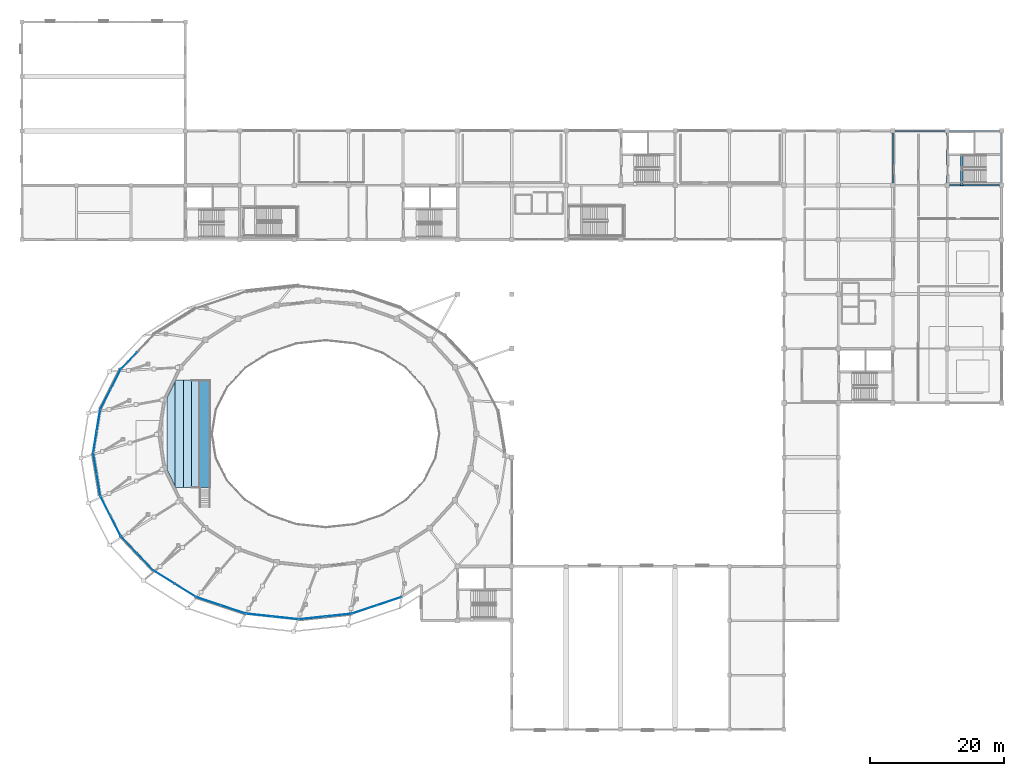
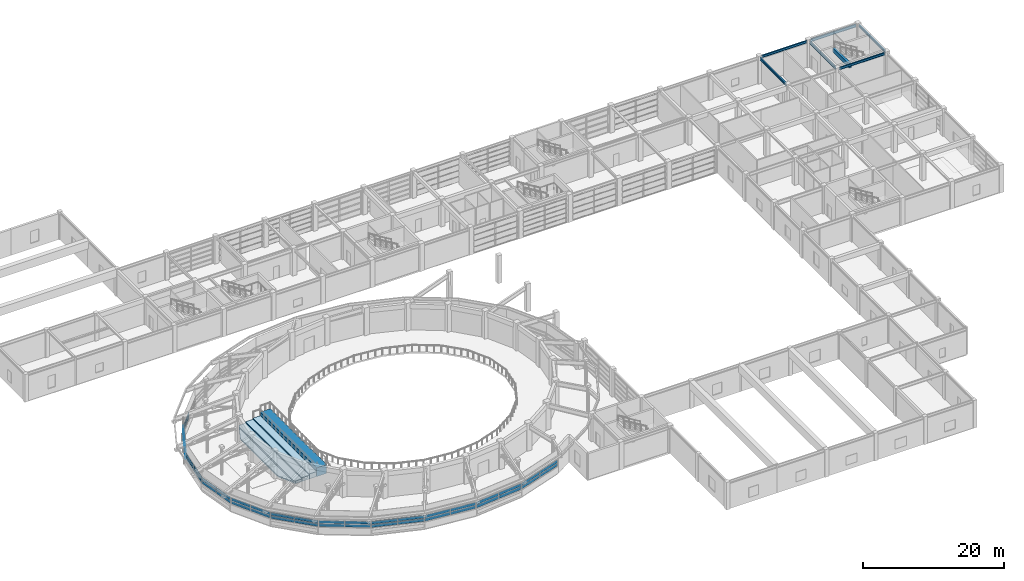
# One storey, part 36 of 58: 42 plates, 7 beams, 5 slabs, 11 elements without a shape of their own.
"""IFC4 building model written with IfcOpenShell, lengths in metres."""

from ifc_helpers import new_model, si_unit, direction, frame, origin, origin_2d, place, context, subcontext, project, spatial, polyline, rectangle, i_section, outline, extrude, material, layer, layer_set, material_profile, profile_set, type_object, element, aggregate, save


model = new_model("IFC4")

# Units and contexts
model_context = context("Model", 3, precision=1e-05, world=origin(), true_north=direction((0.0, 1.0)))
body_context = subcontext(model_context, "Body", "Model", "MODEL_VIEW")
ifc_project = project(units=[si_unit("LENGTHUNIT", "METRE"), si_unit("AREAUNIT", "SQUARE_METRE"), si_unit("VOLUMEUNIT", "CUBIC_METRE"), si_unit("PLANEANGLEUNIT", "RADIAN"), si_unit("MASSUNIT", "GRAM", prefix="KILO")], contexts=[model_context])

# Site, building, storey
site_placement = place(None, origin())
site = spatial("IfcSite", under=ifc_project, at=site_placement, CompositionType="ELEMENT")
building_placement = place(site_placement, origin())
building = spatial("IfcBuilding", under=site, at=building_placement, Name="Parian Resonance Hall", CompositionType="ELEMENT")
storey_placement = place(building_placement, frame((0.0, 0.0, 10.199951171875)))
storey = spatial("IfcBuildingStorey", under=building, at=storey_placement, Name="L02", CompositionType="ELEMENT", Elevation=10.199951171875)

# Beams
ifc_material_1 = material(Name="Concrete C40/50", Category="concrete")
ifc_material_profile_1 = material_profile(ifc_material_1, rectangle(XDim=0.39990234375, YDim=0.699951171875, at=origin_2d()), Name="RC-BM-400x700")
ifc_profile_set_1 = profile_set([ifc_material_profile_1], Name="Concrete C40/50")
beam_type_1 = type_object("IfcBeamType", Name="BM-RC400x700", PredefinedType="BEAM", material=ifc_profile_set_1)
beam_1_placement = place(storey_placement, frame((139.840087890625, 81.0, 4.199951171875), z_axis=(0.0, 1.0, 0.0), x_axis=(-1.0, 0.0, 0.0)))
element("IfcBeam", 1, at=beam_1_placement, inside=storey, type_object=beam_type_1, Name="Core K6 stair arrival trimmer beam L02", PredefinedType="BEAM", context=body_context, shape_type="SweptSolid", body=[
    extrude(rectangle(XDim=0.39990234375, YDim=0.699951171875, at=origin_2d()), origin(), (0.0, 0.0, 1.0), 4.610107421875),
])
ifc_material_2 = material(Name="Steel S355", Category="steel")
ifc_material_profile_2 = material_profile(ifc_material_2, i_section(OverallWidth=0.2548828125, OverallDepth=0.35693359375, WebThickness=0.010498046875, FlangeThickness=0.018310546875, FilletRadius=0.01513671875, at=origin_2d()), Name="W360x101")
ifc_profile_set_2 = profile_set([ifc_material_profile_2], Name="Steel S355")
beam_type_2 = type_object("IfcBeamType", Name="BM-W360x101", PredefinedType="SPANDREL", material=ifc_profile_set_2)
beam_2_placement = place(storey_placement, frame((145.800048828125, 81.35009765625, 4.37158203125), z_axis=(0.0, 1.0, 0.0), x_axis=(-1.0, 0.0, 0.0)))
element("IfcBeam", 2, at=beam_2_placement, inside=storey, type_object=beam_type_2, Name="GY-L02-0811", PredefinedType="SPANDREL", context=body_context, shape_type="SweptSolid", body=[
    extrude(i_section(OverallWidth=0.2548828125, OverallDepth=0.35693359375, WebThickness=0.010498046875, FlangeThickness=0.018310546875, FilletRadius=0.01513671875, at=origin_2d()), origin(), (0.0, 0.0, 1.0), 7.39990234375),
])
ifc_material_3 = material(Name="Steel S355", Category="steel")
ifc_material_profile_3 = material_profile(ifc_material_3, i_section(OverallWidth=0.180908203125, OverallDepth=0.4169921875, WebThickness=0.010986328125, FlangeThickness=0.018310546875, FilletRadius=0.01513671875, at=origin_2d()), Name="W410x85")
ifc_profile_set_3 = profile_set([ifc_material_profile_3], Name="Steel S355")
beam_type_3 = type_object("IfcBeamType", Name="BM-W410x85", PredefinedType="SPANDREL", material=ifc_profile_set_3)
beam_3_placement = place(storey_placement, frame((129.949951171875, 89.10009765625, 4.341552734375), z_axis=(1.0, 0.0, 0.0), x_axis=(0.0, 1.0, 0.0)))
element("IfcBeam", 3, at=beam_3_placement, inside=storey, type_object=beam_type_3, Name="GX-L02-0733", PredefinedType="SPANDREL", context=body_context, shape_type="SweptSolid", body=[
    extrude(i_section(OverallWidth=0.180908203125, OverallDepth=0.4169921875, WebThickness=0.010986328125, FlangeThickness=0.018310546875, FilletRadius=0.01513671875, at=origin_2d()), origin(), (0.0, 0.0, 1.0), 7.400146484375),
])
for number, where, z_axis, x_axis, name in (
    (4, (138.050048828125, 81.0, 4.341552734375), (1.0, 0.0, 0.0), (0.0, 1.0, 0.0), "GX-L02-0738"),
    (5, (137.699951171875, 81.35009765625, 4.341552734375), (0.0, 1.0, 0.0), (-1.0, 0.0, 0.0), "GY-L02-0806"),
):
    element("IfcBeam", number, at=place(storey_placement, frame(where, z_axis=z_axis, x_axis=x_axis)), inside=storey, type_object=beam_type_3, Name=name, PredefinedType="SPANDREL", context=body_context, shape_type="SweptSolid", body=[
        extrude(i_section(OverallWidth=0.180908203125, OverallDepth=0.4169921875, WebThickness=0.010986328125, FlangeThickness=0.018310546875, FilletRadius=0.01513671875, at=origin_2d()), origin(), (0.0, 0.0, 1.0), 7.39990234375),
    ])
ifc_material_4 = material(Name="Steel S355", Category="steel")
ifc_material_profile_4 = material_profile(ifc_material_4, i_section(OverallWidth=0.194091796875, OverallDepth=0.468994140625, WebThickness=0.0126953125, FlangeThickness=0.0205078125, FilletRadius=0.01513671875, at=origin_2d()), Name="W460x106")
ifc_profile_set_4 = profile_set([ifc_material_profile_4], Name="Steel S355")
beam_type_4 = type_object("IfcBeamType", Name="BM-W460x106", PredefinedType="SPANDREL", material=ifc_profile_set_4)
for number, where, z_axis, x_axis, name in (
    (6, (138.050048828125, 89.10009765625, 4.3154296875), (1.0, 0.0, 0.0), (0.0, 1.0, 0.0), "GX-L02-0739"),
    (7, (129.60009765625, 81.35009765625, 4.3154296875), (0.0, 1.0, 0.0), (-1.0, 0.0, 0.0), "GY-L02-0801"),
):
    element("IfcBeam", number, at=place(storey_placement, frame(where, z_axis=z_axis, x_axis=x_axis)), inside=storey, type_object=beam_type_4, Name=name, PredefinedType="SPANDREL", context=body_context, shape_type="SweptSolid", body=[
        extrude(i_section(OverallWidth=0.194091796875, OverallDepth=0.468994140625, WebThickness=0.0126953125, FlangeThickness=0.0205078125, FilletRadius=0.01513671875, at=origin_2d()), origin(), (0.0, 0.0, 1.0), 7.39990234375),
    ])

# Curtain wall, plates
ifc_material_5 = material(Name="Bronze-anodised aluminium frame", Category="aluminium")
curtain_wall_type_1 = type_object("IfcCurtainWallType", Name="CW-SYS-05", PredefinedType="NOTDEFINED", material=ifc_material_5)
curtain_wall_1_placement = place(storey_placement, origin())
curtain_wall_1 = element("IfcCurtainWall", 8, at=curtain_wall_1_placement, inside=storey, type_object=curtain_wall_type_1, Name="Elliptical R2 recessed strip curtain wall 10", PredefinedType="NOTDEFINED")
ifc_material_6 = material(Name="Acoustic laminated double glazing", Category="glass")
ifc_layer_1 = layer(ifc_material_6, 0.02197265625)
ifc_layer_set_1 = layer_set([ifc_layer_1], Name="Acoustic laminated double glazing")
plate_type_1 = type_object("IfcPlateType", Name="CWP-IGU22", PredefinedType="CURTAIN_PANEL", material=ifc_layer_set_1)
plate_1_placement = place(storey_placement, frame((15.92822265625, 54.897705078125, 1.217041015625), z_axis=(0.0, 0.0, 1.0), x_axis=(0.687523049737, 0.72616255486, 0.0)))
plate_1 = element("IfcPlate", 9, at=plate_1_placement, type_object=plate_type_1, Name="CW-05 panel 1.1", PredefinedType="CURTAIN_PANEL", context=body_context, shape_type="SweptSolid", body=[
    extrude(rectangle(XDim=3.424072265625, YDim=0.02197265625, at=origin_2d()), origin(), (0.0, 0.0, 1.0), 0.49560546875),
])
plate_2_placement = place(storey_placement, frame((15.92822265625, 54.897705078125, 1.78759765625), z_axis=(0.0, 0.0, 1.0), x_axis=(0.687523049737, 0.72616255486, 0.0)))
plate_2 = element("IfcPlate", 10, at=plate_2_placement, type_object=plate_type_1, Name="CW-05 panel 1.2", PredefinedType="CURTAIN_PANEL", context=body_context, shape_type="SweptSolid", body=[
    extrude(rectangle(XDim=3.424072265625, YDim=0.02197265625, at=origin_2d()), origin(), (0.0, 0.0, 1.0), 0.49755859375),
])
aggregate(curtain_wall_1, [plate_1, plate_2])

ifc_material_7 = material(Name="Bronze-anodised aluminium frame", Category="aluminium")
curtain_wall_type_2 = type_object("IfcCurtainWallType", Name="CW-SYS-02", PredefinedType="NOTDEFINED", material=ifc_material_7)
curtain_wall_2_placement = place(storey_placement, origin())
curtain_wall_2 = element("IfcCurtainWall", 11, at=curtain_wall_2_placement, inside=storey, type_object=curtain_wall_type_2, Name="Elliptical R2 recessed strip curtain wall 13", PredefinedType="NOTDEFINED")
plate_3_placement = place(storey_placement, frame((11.37939453125, 36.402099609375, 1.20703125), z_axis=(0.0, 0.0, 1.0), x_axis=(-0.160345316726, 0.98706098059, 0.0)))
plate_3 = element("IfcPlate", 12, at=plate_3_placement, type_object=plate_type_1, Name="CW-02 panel 1.1", PredefinedType="CURTAIN_PANEL", context=body_context, shape_type="SweptSolid", body=[
    extrude(rectangle(XDim=3.15380859375, YDim=0.02197265625, at=origin_2d()), origin(), (0.0, 0.0, 1.0), 0.510498046875),
])
plate_4_placement = place(storey_placement, frame((11.37939453125, 36.402099609375, 1.78271484375), z_axis=(0.0, 0.0, 1.0), x_axis=(-0.160345316726, 0.98706098059, 0.0)))
plate_4 = element("IfcPlate", 13, at=plate_4_placement, type_object=plate_type_1, Name="CW-02 panel 1.2", PredefinedType="CURTAIN_PANEL", context=body_context, shape_type="SweptSolid", body=[
    extrude(rectangle(XDim=3.15380859375, YDim=0.02197265625, at=origin_2d()), origin(), (0.0, 0.0, 1.0), 0.512451171875),
])
plate_5_placement = place(storey_placement, frame((10.86328125, 39.579345703125, 1.20703125), z_axis=(0.0, 0.0, 1.0), x_axis=(-0.160345316726, 0.98706098059, 0.0)))
plate_5 = element("IfcPlate", 14, at=plate_5_placement, type_object=plate_type_1, Name="CW-02 panel 2.1", PredefinedType="CURTAIN_PANEL", context=body_context, shape_type="SweptSolid", body=[
    extrude(rectangle(XDim=3.15380859375, YDim=0.02197265625, at=origin_2d()), origin(), (0.0, 0.0, 1.0), 0.510498046875),
])
plate_6_placement = place(storey_placement, frame((10.86328125, 39.579345703125, 1.78271484375), z_axis=(0.0, 0.0, 1.0), x_axis=(-0.160345316726, 0.98706098059, 0.0)))
plate_6 = element("IfcPlate", 15, at=plate_6_placement, type_object=plate_type_1, Name="CW-02 panel 2.2", PredefinedType="CURTAIN_PANEL", context=body_context, shape_type="SweptSolid", body=[
    extrude(rectangle(XDim=3.15380859375, YDim=0.02197265625, at=origin_2d()), origin(), (0.0, 0.0, 1.0), 0.512451171875),
])
aggregate(curtain_wall_2, [plate_3, plate_4, plate_5, plate_6])

curtain_wall_3_placement = place(storey_placement, origin())
curtain_wall_3 = element("IfcCurtainWall", 16, at=curtain_wall_3_placement, inside=storey, type_object=curtain_wall_type_1, Name="Elliptical R2 recessed strip curtain wall 16", PredefinedType="NOTDEFINED")
plate_7_placement = place(storey_placement, frame((24.2998046875, 20.7177734375, 1.217041015625), z_axis=(0.0, 0.0, 1.0), x_axis=(-0.849184800539, 0.528095800526, 0.0)))
plate_7 = element("IfcPlate", 17, at=plate_7_placement, type_object=plate_type_1, Name="CW-05 panel 1.1", PredefinedType="CURTAIN_PANEL", context=body_context, shape_type="SweptSolid", body=[
    extrude(rectangle(XDim=3.619140625, YDim=0.02197265625, at=origin_2d()), origin(), (0.0, 0.0, 1.0), 0.49560546875),
])
plate_8_placement = place(storey_placement, frame((24.2998046875, 20.7177734375, 1.78759765625), z_axis=(0.0, 0.0, 1.0), x_axis=(-0.849184800539, 0.528095800526, 0.0)))
plate_8 = element("IfcPlate", 18, at=plate_8_placement, type_object=plate_type_1, Name="CW-05 panel 1.2", PredefinedType="CURTAIN_PANEL", context=body_context, shape_type="SweptSolid", body=[
    extrude(rectangle(XDim=3.619140625, YDim=0.02197265625, at=origin_2d()), origin(), (0.0, 0.0, 1.0), 0.49755859375),
])
plate_9_placement = place(storey_placement, frame((21.162841796875, 22.668701171875, 1.217041015625), z_axis=(0.0, 0.0, 1.0), x_axis=(-0.849184800539, 0.528095800526, 0.0)))
plate_9 = element("IfcPlate", 19, at=plate_9_placement, type_object=plate_type_1, Name="CW-05 panel 2.1", PredefinedType="CURTAIN_PANEL", context=body_context, shape_type="SweptSolid", body=[
    extrude(rectangle(XDim=3.619140625, YDim=0.02197265625, at=origin_2d()), origin(), (0.0, 0.0, 1.0), 0.49560546875),
])
plate_10_placement = place(storey_placement, frame((21.162841796875, 22.668701171875, 1.78759765625), z_axis=(0.0, 0.0, 1.0), x_axis=(-0.849184800539, 0.528095800526, 0.0)))
plate_10 = element("IfcPlate", 20, at=plate_10_placement, type_object=plate_type_1, Name="CW-05 panel 2.2", PredefinedType="CURTAIN_PANEL", context=body_context, shape_type="SweptSolid", body=[
    extrude(rectangle(XDim=3.619140625, YDim=0.02197265625, at=origin_2d()), origin(), (0.0, 0.0, 1.0), 0.49755859375),
])
aggregate(curtain_wall_3, [plate_7, plate_8, plate_9, plate_10])

curtain_wall_4_placement = place(storey_placement, origin())
curtain_wall_4 = element("IfcCurtainWall", 21, at=curtain_wall_4_placement, inside=storey, type_object=curtain_wall_type_2, Name="Elliptical R2 recessed strip curtain wall 19", PredefinedType="NOTDEFINED")
plate_11_placement = place(storey_placement, frame((47.123779296875, 17.031982421875, 1.20703125), z_axis=(0.0, 0.0, 1.0), x_axis=(-0.994356410662, -0.106091133346, 0.0)))
plate_11 = element("IfcPlate", 22, at=plate_11_placement, type_object=plate_type_1, Name="CW-02 panel 1.1", PredefinedType="CURTAIN_PANEL", context=body_context, shape_type="SweptSolid", body=[
    extrude(rectangle(XDim=3.885009765625, YDim=0.02197265625, at=origin_2d()), origin(), (0.0, 0.0, 1.0), 0.510498046875),
])
plate_12_placement = place(storey_placement, frame((47.123779296875, 17.031982421875, 1.78271484375), z_axis=(0.0, 0.0, 1.0), x_axis=(-0.994356410662, -0.106091133346, 0.0)))
plate_12 = element("IfcPlate", 23, at=plate_12_placement, type_object=plate_type_1, Name="CW-02 panel 1.2", PredefinedType="CURTAIN_PANEL", context=body_context, shape_type="SweptSolid", body=[
    extrude(rectangle(XDim=3.885009765625, YDim=0.02197265625, at=origin_2d()), origin(), (0.0, 0.0, 1.0), 0.512451171875),
])
plate_13_placement = place(storey_placement, frame((43.196044921875, 16.613037109375, 1.20703125), z_axis=(0.0, 0.0, 1.0), x_axis=(-0.994356410662, -0.106091133346, 0.0)))
plate_13 = element("IfcPlate", 24, at=plate_13_placement, type_object=plate_type_1, Name="CW-02 panel 2.1", PredefinedType="CURTAIN_PANEL", context=body_context, shape_type="SweptSolid", body=[
    extrude(rectangle(XDim=3.885009765625, YDim=0.02197265625, at=origin_2d()), origin(), (0.0, 0.0, 1.0), 0.510498046875),
])
plate_14_placement = place(storey_placement, frame((43.196044921875, 16.613037109375, 1.78271484375), z_axis=(0.0, 0.0, 1.0), x_axis=(-0.994356410662, -0.106091133346, 0.0)))
plate_14 = element("IfcPlate", 25, at=plate_14_placement, type_object=plate_type_1, Name="CW-02 panel 2.2", PredefinedType="CURTAIN_PANEL", context=body_context, shape_type="SweptSolid", body=[
    extrude(rectangle(XDim=3.885009765625, YDim=0.02197265625, at=origin_2d()), origin(), (0.0, 0.0, 1.0), 0.512451171875),
])
aggregate(curtain_wall_4, [plate_11, plate_12, plate_13, plate_14])

ifc_material_8 = material(Name="Bronze-anodised aluminium frame", Category="aluminium")
curtain_wall_type_3 = type_object("IfcCurtainWallType", Name="CW-SYS-06", PredefinedType="NOTDEFINED", material=ifc_material_8)
curtain_wall_5_placement = place(storey_placement, origin())
curtain_wall_5 = element("IfcCurtainWall", 26, at=curtain_wall_5_placement, inside=storey, type_object=curtain_wall_type_3, Name="Elliptical R2 recessed strip curtain wall 11", PredefinedType="NOTDEFINED")
ifc_material_9 = material(Name="Acoustic laminated double glazing", Category="glass")
ifc_layer_2 = layer(ifc_material_9, 0.031982421875)
ifc_layer_set_2 = layer_set([ifc_layer_2], Name="Acoustic laminated double glazing")
plate_type_2 = type_object("IfcPlateType", Name="CWP-IGU32", PredefinedType="CURTAIN_PANEL", material=ifc_layer_set_2)
plate_15_placement = place(storey_placement, frame((12.414306640625, 49.12841796875, 1.20703125), z_axis=(0.0, 0.0, 1.0), x_axis=(0.455086403076, 0.890447284085, 0.0)))
plate_15 = element("IfcPlate", 27, at=plate_15_placement, type_object=plate_type_2, Name="CW-06 panel 1.1", PredefinedType="CURTAIN_PANEL", context=body_context, shape_type="SweptSolid", body=[
    extrude(rectangle(XDim=3.260986328125, YDim=0.031982421875, at=origin_2d()), origin(), (0.0, 0.0, 1.0), 0.510498046875),
])
plate_16_placement = place(storey_placement, frame((12.414306640625, 49.12841796875, 1.78271484375), z_axis=(0.0, 0.0, 1.0), x_axis=(0.455086403076, 0.890447284085, 0.0)))
plate_16 = element("IfcPlate", 28, at=plate_16_placement, type_object=plate_type_2, Name="CW-06 panel 1.2", PredefinedType="CURTAIN_PANEL", context=body_context, shape_type="SweptSolid", body=[
    extrude(rectangle(XDim=3.260986328125, YDim=0.031982421875, at=origin_2d()), origin(), (0.0, 0.0, 1.0), 0.512451171875),
])
plate_17_placement = place(storey_placement, frame((13.927978515625, 52.090087890625, 1.20703125), z_axis=(0.0, 0.0, 1.0), x_axis=(0.455086403076, 0.890447284085, 0.0)))
plate_17 = element("IfcPlate", 29, at=plate_17_placement, type_object=plate_type_2, Name="CW-06 panel 2.1", PredefinedType="CURTAIN_PANEL", context=body_context, shape_type="SweptSolid", body=[
    extrude(rectangle(XDim=3.260986328125, YDim=0.031982421875, at=origin_2d()), origin(), (0.0, 0.0, 1.0), 0.510498046875),
])
plate_18_placement = place(storey_placement, frame((13.927978515625, 52.090087890625, 1.78271484375), z_axis=(0.0, 0.0, 1.0), x_axis=(0.455086403076, 0.890447284085, 0.0)))
plate_18 = element("IfcPlate", 30, at=plate_18_placement, type_object=plate_type_2, Name="CW-06 panel 2.2", PredefinedType="CURTAIN_PANEL", context=body_context, shape_type="SweptSolid", body=[
    extrude(rectangle(XDim=3.260986328125, YDim=0.031982421875, at=origin_2d()), origin(), (0.0, 0.0, 1.0), 0.512451171875),
])
aggregate(curtain_wall_5, [plate_15, plate_16, plate_17, plate_18])

ifc_material_10 = material(Name="Bronze-anodised aluminium frame", Category="aluminium")
curtain_wall_type_4 = type_object("IfcCurtainWallType", Name="CW-SYS-03", PredefinedType="NOTDEFINED", material=ifc_material_10)
curtain_wall_6_placement = place(storey_placement, origin())
curtain_wall_6 = element("IfcCurtainWall", 31, at=curtain_wall_6_placement, inside=storey, type_object=curtain_wall_type_4, Name="Elliptical R2 recessed strip curtain wall 14", PredefinedType="NOTDEFINED")
plate_19_placement = place(storey_placement, frame((13.9267578125, 30.31201171875, 1.217041015625), z_axis=(0.0, 0.0, 1.0), x_axis=(-0.455086403076, 0.890447284085, 0.0)))
plate_19 = element("IfcPlate", 32, at=plate_19_placement, type_object=plate_type_2, Name="CW-03 panel 1.1", PredefinedType="CURTAIN_PANEL", context=body_context, shape_type="SweptSolid", body=[
    extrude(rectangle(XDim=3.24609375, YDim=0.031982421875, at=origin_2d()), origin(), (0.0, 0.0, 1.0), 0.49560546875),
])
plate_20_placement = place(storey_placement, frame((13.9267578125, 30.31201171875, 1.78759765625), z_axis=(0.0, 0.0, 1.0), x_axis=(-0.455086403076, 0.890447284085, 0.0)))
plate_20 = element("IfcPlate", 33, at=plate_20_placement, type_object=plate_type_2, Name="CW-03 panel 1.2", PredefinedType="CURTAIN_PANEL", context=body_context, shape_type="SweptSolid", body=[
    extrude(rectangle(XDim=3.24609375, YDim=0.031982421875, at=origin_2d()), origin(), (0.0, 0.0, 1.0), 0.49755859375),
])
plate_21_placement = place(storey_placement, frame((12.41552734375, 33.269287109375, 1.217041015625), z_axis=(0.0, 0.0, 1.0), x_axis=(-0.455086403076, 0.890447284085, 0.0)))
plate_21 = element("IfcPlate", 34, at=plate_21_placement, type_object=plate_type_2, Name="CW-03 panel 2.1", PredefinedType="CURTAIN_PANEL", context=body_context, shape_type="SweptSolid", body=[
    extrude(rectangle(XDim=3.24609375, YDim=0.031982421875, at=origin_2d()), origin(), (0.0, 0.0, 1.0), 0.49560546875),
])
plate_22_placement = place(storey_placement, frame((12.41552734375, 33.269287109375, 1.78759765625), z_axis=(0.0, 0.0, 1.0), x_axis=(-0.455086403076, 0.890447284085, 0.0)))
plate_22 = element("IfcPlate", 35, at=plate_22_placement, type_object=plate_type_2, Name="CW-03 panel 2.2", PredefinedType="CURTAIN_PANEL", context=body_context, shape_type="SweptSolid", body=[
    extrude(rectangle(XDim=3.24609375, YDim=0.031982421875, at=origin_2d()), origin(), (0.0, 0.0, 1.0), 0.49755859375),
])
aggregate(curtain_wall_6, [plate_19, plate_20, plate_21, plate_22])

curtain_wall_7_placement = place(storey_placement, origin())
curtain_wall_7 = element("IfcCurtainWall", 36, at=curtain_wall_7_placement, inside=storey, type_object=curtain_wall_type_3, Name="Elliptical R2 recessed strip curtain wall 17", PredefinedType="NOTDEFINED")
plate_23_placement = place(storey_placement, frame((31.419677734375, 17.86962890625, 1.20703125), z_axis=(0.0, 0.0, 1.0), x_axis=(-0.948004171147, 0.318257900904, 0.0)))
plate_23 = element("IfcPlate", 37, at=plate_23_placement, type_object=plate_type_2, Name="CW-06 panel 1.1", PredefinedType="CURTAIN_PANEL", context=body_context, shape_type="SweptSolid", body=[
    extrude(rectangle(XDim=3.794921875, YDim=0.031982421875, at=origin_2d()), origin(), (0.0, 0.0, 1.0), 0.510498046875),
])
plate_24_placement = place(storey_placement, frame((31.419677734375, 17.86962890625, 1.78271484375), z_axis=(0.0, 0.0, 1.0), x_axis=(-0.948004171147, 0.318257900904, 0.0)))
plate_24 = element("IfcPlate", 38, at=plate_24_placement, type_object=plate_type_2, Name="CW-06 panel 1.2", PredefinedType="CURTAIN_PANEL", context=body_context, shape_type="SweptSolid", body=[
    extrude(rectangle(XDim=3.794921875, YDim=0.031982421875, at=origin_2d()), origin(), (0.0, 0.0, 1.0), 0.512451171875),
])
plate_25_placement = place(storey_placement, frame((27.760498046875, 19.09814453125, 1.20703125), z_axis=(0.0, 0.0, 1.0), x_axis=(-0.948004171147, 0.318257900904, 0.0)))
plate_25 = element("IfcPlate", 39, at=plate_25_placement, type_object=plate_type_2, Name="CW-06 panel 2.1", PredefinedType="CURTAIN_PANEL", context=body_context, shape_type="SweptSolid", body=[
    extrude(rectangle(XDim=3.794921875, YDim=0.031982421875, at=origin_2d()), origin(), (0.0, 0.0, 1.0), 0.510498046875),
])
plate_26_placement = place(storey_placement, frame((27.760498046875, 19.09814453125, 1.78271484375), z_axis=(0.0, 0.0, 1.0), x_axis=(-0.948004171147, 0.318257900904, 0.0)))
plate_26 = element("IfcPlate", 40, at=plate_26_placement, type_object=plate_type_2, Name="CW-06 panel 2.2", PredefinedType="CURTAIN_PANEL", context=body_context, shape_type="SweptSolid", body=[
    extrude(rectangle(XDim=3.794921875, YDim=0.031982421875, at=origin_2d()), origin(), (0.0, 0.0, 1.0), 0.512451171875),
])
aggregate(curtain_wall_7, [plate_23, plate_24, plate_25, plate_26])

curtain_wall_8_placement = place(storey_placement, origin())
curtain_wall_8 = element("IfcCurtainWall", 41, at=curtain_wall_8_placement, inside=storey, type_object=curtain_wall_type_4, Name="Elliptical R2 recessed strip curtain wall 20", PredefinedType="NOTDEFINED")
plate_27_placement = place(storey_placement, frame((54.63720703125, 19.09716796875, 1.217041015625), z_axis=(0.0, 0.0, 1.0), x_axis=(-0.948004171147, -0.318257900904, 0.0)))
plate_27 = element("IfcPlate", 42, at=plate_27_placement, type_object=plate_type_2, Name="CW-03 panel 1.1", PredefinedType="CURTAIN_PANEL", context=body_context, shape_type="SweptSolid", body=[
    extrude(rectangle(XDim=3.780029296875, YDim=0.031982421875, at=origin_2d()), origin(), (0.0, 0.0, 1.0), 0.49560546875),
])
plate_28_placement = place(storey_placement, frame((54.63720703125, 19.09716796875, 1.78759765625), z_axis=(0.0, 0.0, 1.0), x_axis=(-0.948004171147, -0.318257900904, 0.0)))
plate_28 = element("IfcPlate", 43, at=plate_28_placement, type_object=plate_type_2, Name="CW-03 panel 1.2", PredefinedType="CURTAIN_PANEL", context=body_context, shape_type="SweptSolid", body=[
    extrude(rectangle(XDim=3.780029296875, YDim=0.031982421875, at=origin_2d()), origin(), (0.0, 0.0, 1.0), 0.49755859375),
])
plate_29_placement = place(storey_placement, frame((50.982666015625, 17.870361328125, 1.217041015625), z_axis=(0.0, 0.0, 1.0), x_axis=(-0.948004171147, -0.318257900904, 0.0)))
plate_29 = element("IfcPlate", 44, at=plate_29_placement, type_object=plate_type_2, Name="CW-03 panel 2.1", PredefinedType="CURTAIN_PANEL", context=body_context, shape_type="SweptSolid", body=[
    extrude(rectangle(XDim=3.780029296875, YDim=0.031982421875, at=origin_2d()), origin(), (0.0, 0.0, 1.0), 0.49560546875),
])
plate_30_placement = place(storey_placement, frame((50.982666015625, 17.870361328125, 1.78759765625), z_axis=(0.0, 0.0, 1.0), x_axis=(-0.948004171147, -0.318257900904, 0.0)))
plate_30 = element("IfcPlate", 45, at=plate_30_placement, type_object=plate_type_2, Name="CW-03 panel 2.2", PredefinedType="CURTAIN_PANEL", context=body_context, shape_type="SweptSolid", body=[
    extrude(rectangle(XDim=3.780029296875, YDim=0.031982421875, at=origin_2d()), origin(), (0.0, 0.0, 1.0), 0.49755859375),
])
aggregate(curtain_wall_8, [plate_27, plate_28, plate_29, plate_30])

ifc_material_11 = material(Name="Bronze-anodised aluminium frame", Category="aluminium")
curtain_wall_type_5 = type_object("IfcCurtainWallType", Name="CW-SYS-01", PredefinedType="NOTDEFINED", material=ifc_material_11)
curtain_wall_9_placement = place(storey_placement, origin())
curtain_wall_9 = element("IfcCurtainWall", 46, at=curtain_wall_9_placement, inside=storey, type_object=curtain_wall_type_5, Name="Elliptical R2 recessed strip curtain wall 12", PredefinedType="NOTDEFINED")
ifc_material_12 = material(Name="Acoustic laminated double glazing", Category="glass")
ifc_layer_3 = layer(ifc_material_12, 0.0419921875)
ifc_layer_set_3 = layer_set([ifc_layer_3], Name="Acoustic laminated double glazing")
plate_type_3 = type_object("IfcPlateType", Name="CWP-IGU42", PredefinedType="CURTAIN_PANEL", material=ifc_layer_set_3)
plate_31_placement = place(storey_placement, frame((10.86376953125, 42.8232421875, 1.217041015625), z_axis=(0.0, 0.0, 1.0), x_axis=(0.160345316726, 0.98706098059, 0.0)))
plate_31 = element("IfcPlate", 47, at=plate_31_placement, type_object=plate_type_3, Name="CW-01 panel 1.1", PredefinedType="CURTAIN_PANEL", context=body_context, shape_type="SweptSolid", body=[
    extrude(rectangle(XDim=3.138916015625, YDim=0.0419921875, at=origin_2d()), origin(), (0.0, 0.0, 1.0), 0.49560546875),
])
plate_32_placement = place(storey_placement, frame((10.86376953125, 42.8232421875, 1.78759765625), z_axis=(0.0, 0.0, 1.0), x_axis=(0.160345316726, 0.98706098059, 0.0)))
plate_32 = element("IfcPlate", 48, at=plate_32_placement, type_object=plate_type_3, Name="CW-01 panel 1.2", PredefinedType="CURTAIN_PANEL", context=body_context, shape_type="SweptSolid", body=[
    extrude(rectangle(XDim=3.138916015625, YDim=0.0419921875, at=origin_2d()), origin(), (0.0, 0.0, 1.0), 0.49755859375),
])
plate_33_placement = place(storey_placement, frame((11.37890625, 45.99560546875, 1.217041015625), z_axis=(0.0, 0.0, 1.0), x_axis=(0.160345316726, 0.98706098059, 0.0)))
plate_33 = element("IfcPlate", 49, at=plate_33_placement, type_object=plate_type_3, Name="CW-01 panel 2.1", PredefinedType="CURTAIN_PANEL", context=body_context, shape_type="SweptSolid", body=[
    extrude(rectangle(XDim=3.138916015625, YDim=0.0419921875, at=origin_2d()), origin(), (0.0, 0.0, 1.0), 0.49560546875),
])
plate_34_placement = place(storey_placement, frame((11.37890625, 45.99560546875, 1.78759765625), z_axis=(0.0, 0.0, 1.0), x_axis=(0.160345316726, 0.98706098059, 0.0)))
plate_34 = element("IfcPlate", 50, at=plate_34_placement, type_object=plate_type_3, Name="CW-01 panel 2.2", PredefinedType="CURTAIN_PANEL", context=body_context, shape_type="SweptSolid", body=[
    extrude(rectangle(XDim=3.138916015625, YDim=0.0419921875, at=origin_2d()), origin(), (0.0, 0.0, 1.0), 0.49755859375),
])
aggregate(curtain_wall_9, [plate_31, plate_32, plate_33, plate_34])

ifc_material_13 = material(Name="Bronze-anodised aluminium frame", Category="aluminium")
curtain_wall_type_6 = type_object("IfcCurtainWallType", Name="CW-SYS-04", PredefinedType="NOTDEFINED", material=ifc_material_13)
curtain_wall_10_placement = place(storey_placement, origin())
curtain_wall_10 = element("IfcCurtainWall", 51, at=curtain_wall_10_placement, inside=storey, type_object=curtain_wall_type_6, Name="Elliptical R2 recessed strip curtain wall 15", PredefinedType="NOTDEFINED")
plate_35_placement = place(storey_placement, frame((18.335693359375, 24.959716796875, 1.20703125), z_axis=(0.0, 0.0, 1.0), x_axis=(-0.687523049737, 0.72616255486, 0.0)))
plate_35 = element("IfcPlate", 52, at=plate_35_placement, type_object=plate_type_3, Name="CW-04 panel 1.1", PredefinedType="CURTAIN_PANEL", context=body_context, shape_type="SweptSolid", body=[
    extrude(rectangle(XDim=3.43896484375, YDim=0.0419921875, at=origin_2d()), origin(), (0.0, 0.0, 1.0), 0.510498046875),
])
plate_36_placement = place(storey_placement, frame((18.335693359375, 24.959716796875, 1.78271484375), z_axis=(0.0, 0.0, 1.0), x_axis=(-0.687523049737, 0.72616255486, 0.0)))
plate_36 = element("IfcPlate", 53, at=plate_36_placement, type_object=plate_type_3, Name="CW-04 panel 1.2", PredefinedType="CURTAIN_PANEL", context=body_context, shape_type="SweptSolid", body=[
    extrude(rectangle(XDim=3.43896484375, YDim=0.0419921875, at=origin_2d()), origin(), (0.0, 0.0, 1.0), 0.512451171875),
])
plate_37_placement = place(storey_placement, frame((15.926513671875, 27.504150390625, 1.20703125), z_axis=(0.0, 0.0, 1.0), x_axis=(-0.687523049737, 0.72616255486, 0.0)))
plate_37 = element("IfcPlate", 54, at=plate_37_placement, type_object=plate_type_3, Name="CW-04 panel 2.1", PredefinedType="CURTAIN_PANEL", context=body_context, shape_type="SweptSolid", body=[
    extrude(rectangle(XDim=3.43896484375, YDim=0.0419921875, at=origin_2d()), origin(), (0.0, 0.0, 1.0), 0.510498046875),
])
plate_38_placement = place(storey_placement, frame((15.926513671875, 27.504150390625, 1.78271484375), z_axis=(0.0, 0.0, 1.0), x_axis=(-0.687523049737, 0.72616255486, 0.0)))
plate_38 = element("IfcPlate", 55, at=plate_38_placement, type_object=plate_type_3, Name="CW-04 panel 2.2", PredefinedType="CURTAIN_PANEL", context=body_context, shape_type="SweptSolid", body=[
    extrude(rectangle(XDim=3.43896484375, YDim=0.0419921875, at=origin_2d()), origin(), (0.0, 0.0, 1.0), 0.512451171875),
])
aggregate(curtain_wall_10, [plate_35, plate_36, plate_37, plate_38])

curtain_wall_11_placement = place(storey_placement, origin())
curtain_wall_11 = element("IfcCurtainWall", 56, at=curtain_wall_11_placement, inside=storey, type_object=curtain_wall_type_5, Name="Elliptical R2 recessed strip curtain wall 18", PredefinedType="NOTDEFINED")
plate_39_placement = place(storey_placement, frame((39.201416015625, 16.61328125, 1.217041015625), z_axis=(0.0, 0.0, 1.0), x_axis=(-0.994356410662, 0.106091133346, 0.0)))
plate_39 = element("IfcPlate", 57, at=plate_39_placement, type_object=plate_type_3, Name="CW-01 panel 1.1", PredefinedType="CURTAIN_PANEL", context=body_context, shape_type="SweptSolid", body=[
    extrude(rectangle(XDim=3.869873046875, YDim=0.0419921875, at=origin_2d()), origin(), (0.0, 0.0, 1.0), 0.49560546875),
])
plate_40_placement = place(storey_placement, frame((39.201416015625, 16.61328125, 1.78759765625), z_axis=(0.0, 0.0, 1.0), x_axis=(-0.994356410662, 0.106091133346, 0.0)))
plate_40 = element("IfcPlate", 58, at=plate_40_placement, type_object=plate_type_3, Name="CW-01 panel 1.2", PredefinedType="CURTAIN_PANEL", context=body_context, shape_type="SweptSolid", body=[
    extrude(rectangle(XDim=3.869873046875, YDim=0.0419921875, at=origin_2d()), origin(), (0.0, 0.0, 1.0), 0.49755859375),
])
plate_41_placement = place(storey_placement, frame((35.27880859375, 17.03173828125, 1.217041015625), z_axis=(0.0, 0.0, 1.0), x_axis=(-0.994356410662, 0.106091133346, 0.0)))
plate_41 = element("IfcPlate", 59, at=plate_41_placement, type_object=plate_type_3, Name="CW-01 panel 2.1", PredefinedType="CURTAIN_PANEL", context=body_context, shape_type="SweptSolid", body=[
    extrude(rectangle(XDim=3.869873046875, YDim=0.0419921875, at=origin_2d()), origin(), (0.0, 0.0, 1.0), 0.49560546875),
])
plate_42_placement = place(storey_placement, frame((35.27880859375, 17.03173828125, 1.78759765625), z_axis=(0.0, 0.0, 1.0), x_axis=(-0.994356410662, 0.106091133346, 0.0)))
plate_42 = element("IfcPlate", 60, at=plate_42_placement, type_object=plate_type_3, Name="CW-01 panel 2.2", PredefinedType="CURTAIN_PANEL", context=body_context, shape_type="SweptSolid", body=[
    extrude(rectangle(XDim=3.869873046875, YDim=0.0419921875, at=origin_2d()), origin(), (0.0, 0.0, 1.0), 0.49755859375),
])
aggregate(curtain_wall_11, [plate_39, plate_40, plate_41, plate_42])

# Slabs
ifc_material_14 = material(Name="Concrete C35/45", Category="concrete")
ifc_layer_4 = layer(ifc_material_14, 1.5)
ifc_layer_set_4 = layer_set([ifc_layer_4], Name="Concrete C35/45")
slab_type_1 = type_object("IfcSlabType", Name="SLB-TIER-1500", PredefinedType="USERDEFINED", material=ifc_layer_set_4)
slab_1_placement = place(storey_placement, origin())
element("IfcSlab", 61, at=slab_1_placement, inside=storey, type_object=slab_type_1, Name="First balcony seating tier 5", ObjectType="SEATING TIER", PredefinedType="USERDEFINED", context=body_context, shape_type="SweptSolid", body=[
    extrude(outline(polyline([(26.39990234375, 36.0), (28.050048828125, 36.0), (28.050048828125, 52.0), (26.39990234375, 52.0), (26.39990234375, 36.0)])), origin(), (0.0, 0.0, 1.0), 1.5),
])
ifc_material_15 = material(Name="Concrete C35/45", Category="concrete")
ifc_layer_5 = layer(ifc_material_15, 0.2099609375)
ifc_layer_set_5 = layer_set([ifc_layer_5], Name="Concrete C35/45")
slab_type_2 = type_object("IfcSlabType", Name="SLB-TIER-210", PredefinedType="USERDEFINED", material=ifc_layer_set_5)
slab_2_placement = place(storey_placement, origin())
element("IfcSlab", 62, at=slab_2_placement, inside=storey, type_object=slab_type_2, Name="First balcony seating tier 1", ObjectType="SEATING TIER", PredefinedType="USERDEFINED", context=body_context, shape_type="SweptSolid", body=[
    extrude(outline(polyline([(22.800048828125, 51.792236328125), (21.60009765625, 49.361572265625), (21.60009765625, 38.638427734375), (22.800048828125, 36.207763671875), (22.800048828125, 51.792236328125)])), origin(), (0.0, 0.0, 1.0), 0.2099609375),
])
ifc_material_16 = material(Name="Concrete C35/45", Category="concrete")
ifc_layer_6 = layer(ifc_material_16, 0.429931640625)
ifc_layer_set_6 = layer_set([ifc_layer_6], Name="Concrete C35/45")
slab_type_3 = type_object("IfcSlabType", Name="SLB-TIER-430", PredefinedType="USERDEFINED", material=ifc_layer_set_6)
slab_3_placement = place(storey_placement, origin())
element("IfcSlab", 63, at=slab_3_placement, inside=storey, type_object=slab_type_3, Name="First balcony seating tier 2", ObjectType="SEATING TIER", PredefinedType="USERDEFINED", context=body_context, shape_type="SweptSolid", body=[
    extrude(outline(polyline([(22.902587890625, 52.0), (22.739990234375, 51.670654296875), (22.739990234375, 36.329345703125), (22.902587890625, 36.0), (24.0, 36.0), (24.0, 52.0), (22.902587890625, 52.0)])), origin(), (0.0, 0.0, 1.0), 0.429931640625),
])
ifc_material_17 = material(Name="Concrete C35/45", Category="concrete")
ifc_layer_7 = layer(ifc_material_17, 0.64990234375)
ifc_layer_set_7 = layer_set([ifc_layer_7], Name="Concrete C35/45")
slab_type_4 = type_object("IfcSlabType", Name="SLB-TIER-650", PredefinedType="USERDEFINED", material=ifc_layer_set_7)
slab_4_placement = place(storey_placement, origin())
element("IfcSlab", 64, at=slab_4_placement, inside=storey, type_object=slab_type_4, Name="First balcony seating tier 3", ObjectType="SEATING TIER", PredefinedType="USERDEFINED", context=body_context, shape_type="SweptSolid", body=[
    extrude(outline(polyline([(24.0, 36.0), (25.199951171875, 36.0), (25.199951171875, 52.0), (24.0, 52.0), (24.0, 36.0)])), origin(), (0.0, 0.0, 1.0), 0.650146484375),
])
ifc_material_18 = material(Name="Concrete C35/45", Category="concrete")
ifc_layer_8 = layer(ifc_material_18, 0.8701171875)
ifc_layer_set_8 = layer_set([ifc_layer_8], Name="Concrete C35/45")
slab_type_5 = type_object("IfcSlabType", Name="SLB-TIER-870", PredefinedType="USERDEFINED", material=ifc_layer_set_8)
slab_5_placement = place(storey_placement, origin())
element("IfcSlab", 65, at=slab_5_placement, inside=storey, type_object=slab_type_5, Name="First balcony seating tier 4", ObjectType="SEATING TIER", PredefinedType="USERDEFINED", context=body_context, shape_type="SweptSolid", body=[
    extrude(outline(polyline([(25.199951171875, 36.0), (26.39990234375, 36.0), (26.39990234375, 52.0), (25.199951171875, 52.0), (25.199951171875, 36.0)])), origin(), (0.0, 0.0, 1.0), 0.8701171875),
])

save(model, "model.ifc")
